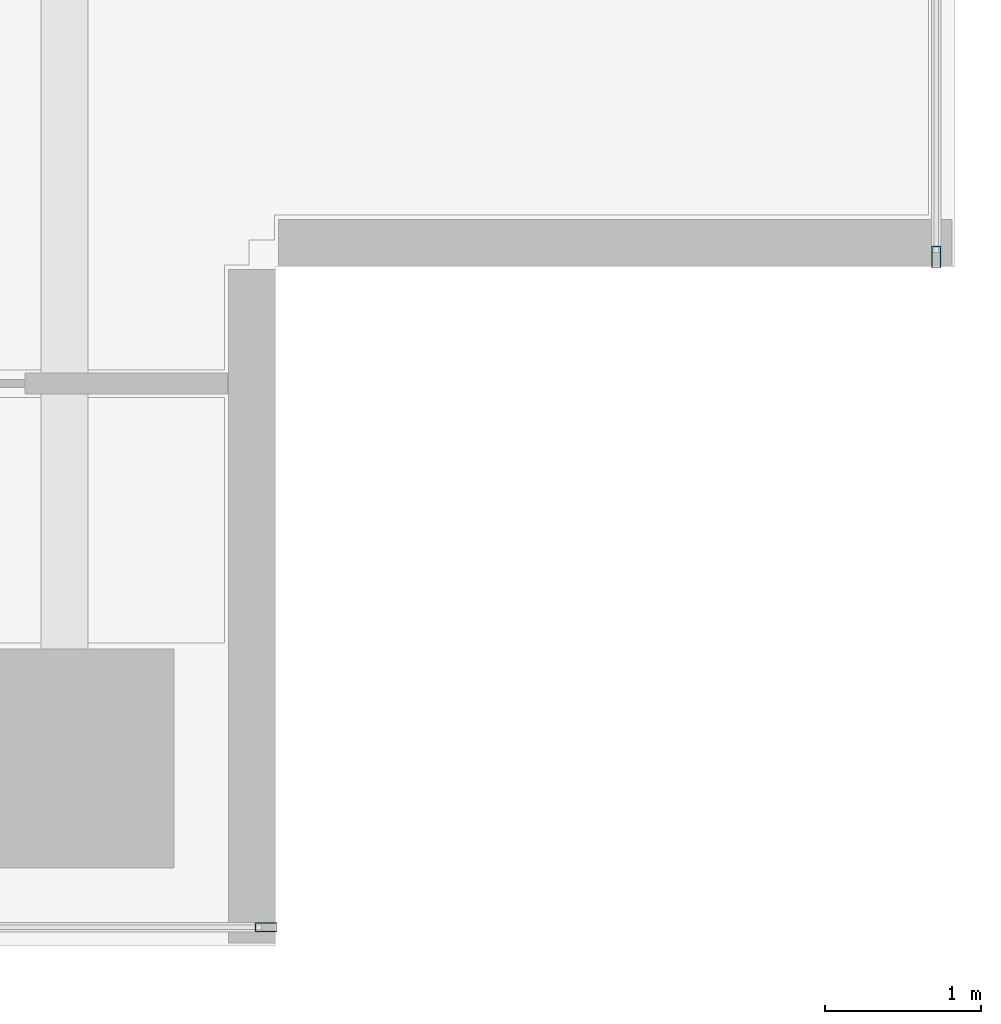
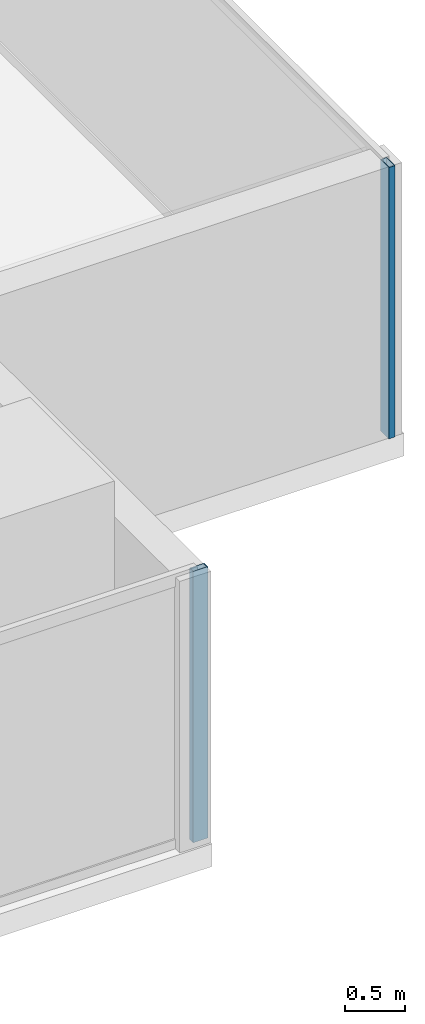
# One storey, part 11 of 25: 2 members, 2 elements without a shape of their own.
"""IFC4 building model written with IfcOpenShell, lengths in metres."""

from ifc_helpers import new_model, si_unit, direction, frame, origin, origin_2d, place, context, subcontext, project, spatial, hollow_rectangle, extrude, source, transform, mapped, material, layer, layer_set, material_profile, profile_set, type_object, element, aggregate, save


model = new_model("IFC4")

# Units and contexts
model_context = context("Model", 3, precision=1e-05, world=origin(), true_north=direction((0.0, 1.0)))
body_context = subcontext(model_context, "Body", "Model", "MODEL_VIEW")
ifc_project = project(units=[si_unit("LENGTHUNIT", "METRE"), si_unit("AREAUNIT", "SQUARE_METRE"), si_unit("VOLUMEUNIT", "CUBIC_METRE"), si_unit("PLANEANGLEUNIT", "RADIAN"), si_unit("MASSUNIT", "GRAM", prefix="KILO")], contexts=[model_context])

# Site, building, storey
site_placement = place(None, origin())
site = spatial("IfcSite", under=ifc_project, at=site_placement, CompositionType="ELEMENT")
building_placement = place(site_placement, origin())
building = spatial("IfcBuilding", under=site, at=building_placement, Name="Sumidabori Civic Tower", CompositionType="ELEMENT")
storey_placement = place(building_placement, frame((0.0, 0.0, 239.60009765625)))
storey = spatial("IfcBuildingStorey", under=building, at=storey_placement, Name="L62", CompositionType="ELEMENT", Elevation=239.60009765625)

# Curtain wall, member
ifc_material = material(Name="Anodised Bronze Aluminium AW-6063-T6", Category="aluminium")
ifc_layer = layer(ifc_material, 0.179931640625, Name="Anodised Bronze Aluminium AW-6063-T6")
ifc_layer_set = layer_set([ifc_layer], Name="Anodised Bronze Aluminium AW-6063-T6")
curtain_wall_type = type_object("IfcCurtainWallType", Name="CW-SYS-5", PredefinedType="NOTDEFINED", material=ifc_layer_set)
curtain_wall_1_placement = place(storey_placement, origin())
curtain_wall_1 = element("IfcCurtainWall", 1, at=curtain_wall_1_placement, inside=storey, type_object=curtain_wall_type, Name="Curtain Wall CW:L62:R01", PredefinedType="NOTDEFINED")
ifc_material_profile = material_profile(ifc_material, hollow_rectangle(XDim=0.06005859375, YDim=0.139892578125, WallThickness=0.0048828125, at=origin_2d()), Name="ALU MULLION 140x60")
ifc_profile_set = profile_set([ifc_material_profile], Name="Anodised Bronze Aluminium AW-6063-T6")
member_type = type_object("IfcMemberType", Name="CW-MUL-140", PredefinedType="MULLION", material=ifc_profile_set)
shared_shape = source(origin(), body_context, "Body", "SweptSolid", [
    extrude(hollow_rectangle(XDim=0.06005859375, YDim=0.139892578125, WallThickness=0.0048828125, at=origin_2d()), origin(), (0.0, 0.0, 1.0), 2.75),
])
member_1_placement = place(storey_placement, frame((18.090087890625, -11.8798828125, 0.0), z_axis=(0.0, 0.0, 1.0), x_axis=(0.0, 1.0, 0.0)))
member_1 = element("IfcMember", 2, at=member_1_placement, type_object=member_type, Name="CW-5 mullion 5", PredefinedType="MULLION", context=body_context, shape_type="MappedRepresentation", body=[
    mapped(shared_shape, transform((0.0, 0.0, 0.0), x_axis=(1.0, 0.0, 0.0), y_axis=(0.0, 1.0, 0.0), z_axis=(0.0, 0.0, 1.0), scale=1.0)),
])
aggregate(curtain_wall_1, [member_1])

curtain_wall_2_placement = place(storey_placement, origin())
curtain_wall_2 = element("IfcCurtainWall", 3, at=curtain_wall_2_placement, inside=storey, type_object=curtain_wall_type, Name="Curtain Wall CW:L62:R04", PredefinedType="NOTDEFINED")
member_2_placement = place(storey_placement, frame((22.3798828125, -7.590087890625, 0.0), z_axis=(0.0, 0.0, 1.0), x_axis=(-1.0, 0.0, 0.0)))
member_2 = element("IfcMember", 4, at=member_2_placement, type_object=member_type, Name="CW-5 mullion 1", PredefinedType="MULLION", context=body_context, shape_type="MappedRepresentation", body=[
    mapped(shared_shape, transform((0.0, 0.0, 0.0), x_axis=(1.0, 0.0, 0.0), y_axis=(0.0, 1.0, 0.0), z_axis=(0.0, 0.0, 1.0), scale=1.0)),
])
aggregate(curtain_wall_2, [member_2])

save(model, "model.ifc")
